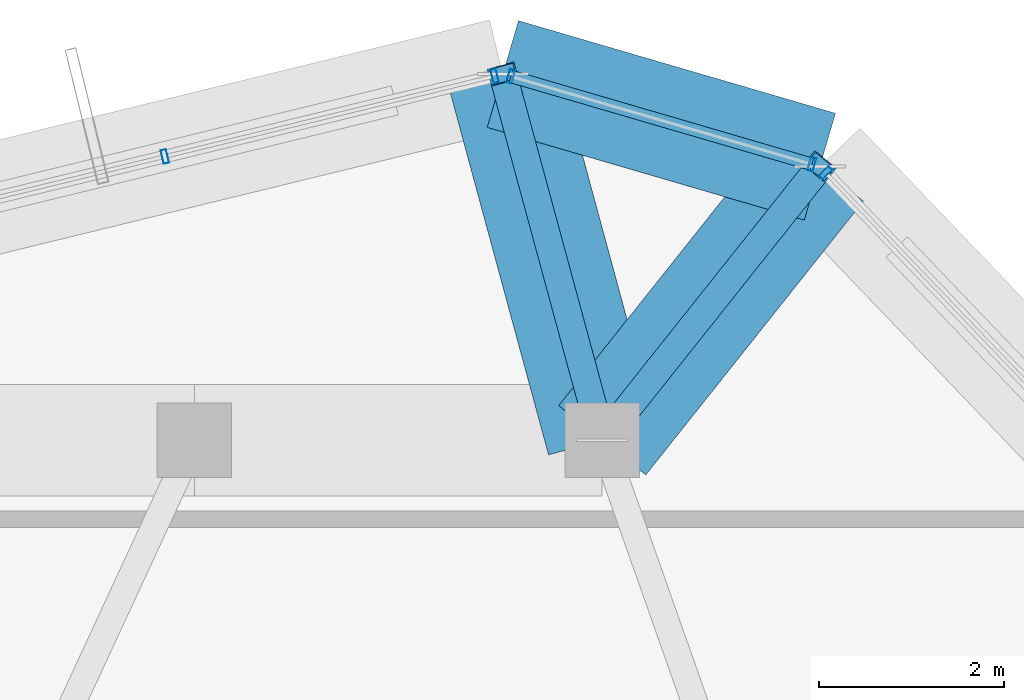
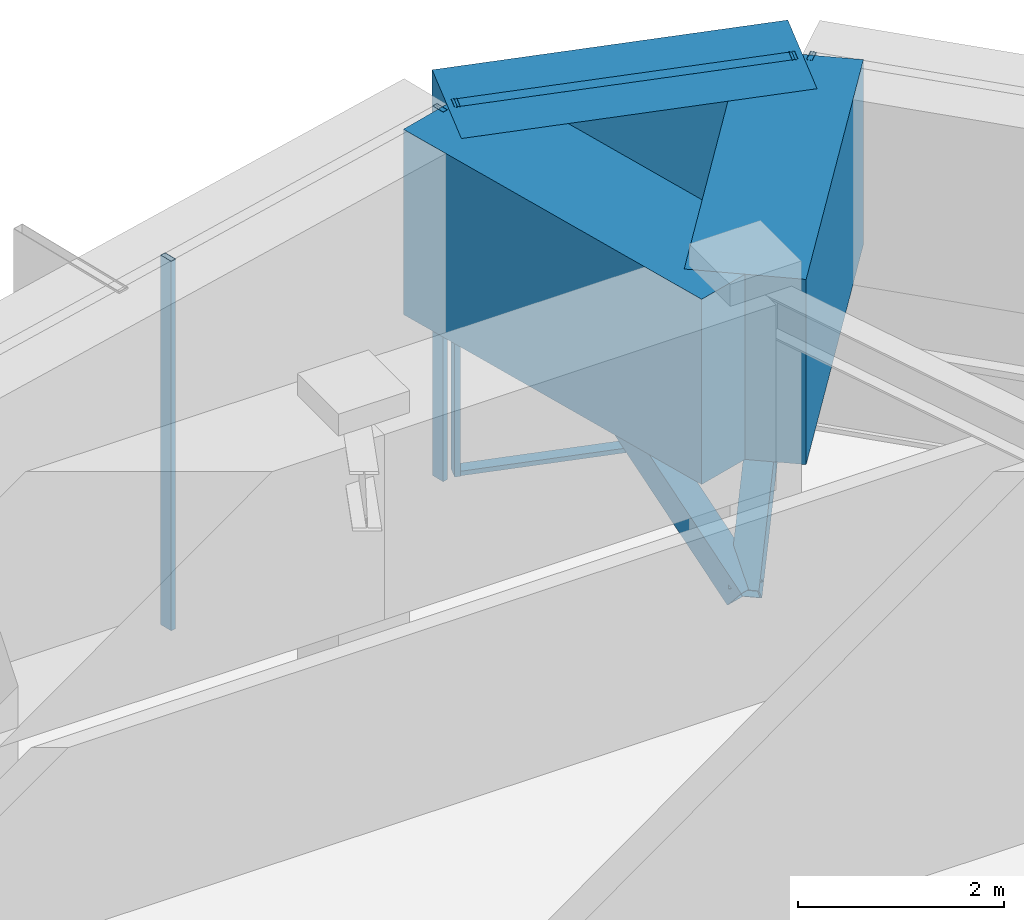
# One storey, part 33 of 39: 9 members, 3 beams, 3 elements without a shape of their own.
"""IFC4 building model written with IfcOpenShell, lengths in metres."""

from ifc_helpers import new_model, si_unit, direction, frame, origin, origin_2d, place, context, subcontext, project, spatial, rectangle, hollow_rectangle, extrude, source, transform, mapped, material, layer, layer_set, material_profile, profile_set, type_object, element, aggregate, save


model = new_model("IFC4")

# Units and contexts
model_context = context("Model", 3, precision=1e-05, world=origin(), true_north=direction((0.0, 1.0)))
body_context = subcontext(model_context, "Body", "Model", "MODEL_VIEW")
ifc_project = project(units=[si_unit("LENGTHUNIT", "METRE"), si_unit("AREAUNIT", "SQUARE_METRE"), si_unit("VOLUMEUNIT", "CUBIC_METRE"), si_unit("PLANEANGLEUNIT", "RADIAN"), si_unit("MASSUNIT", "GRAM", prefix="KILO")], contexts=[model_context])

# Site, building, storey
site_placement = place(None, origin())
site = spatial("IfcSite", under=ifc_project, at=site_placement, CompositionType="ELEMENT")
building_placement = place(site_placement, origin())
building = spatial("IfcBuilding", under=site, at=building_placement, Name="Veraguas Prism Commons", CompositionType="ELEMENT")
storey_placement = place(building_placement, frame((0.0, 0.0, 264.25)))
storey = spatial("IfcBuildingStorey", under=building, at=storey_placement, Name="L75", CompositionType="ELEMENT", Elevation=264.25)

# Beams
ifc_material_1 = material(Name="Concrete C50/60", Category="concrete")
ifc_material_profile_1 = material_profile(ifc_material_1, rectangle(XDim=1.199951171875, YDim=2.199951171875, at=origin_2d()), Name="RC1200X2200")
ifc_profile_set_1 = profile_set([ifc_material_profile_1], Name="Concrete C50/60")
beam_type = type_object("IfcBeamType", Name="Podium Transfer Girder RC 1200x2200", PredefinedType="BEAM", material=ifc_profile_set_1)
beam_1_placement = place(storey_placement, frame((28.39990234375, 37.800048828125, 3.2900390625), z_axis=(0.622521763744, 0.782602487643, 0.0), x_axis=(-0.782602487643, 0.622521763744, 0.0)))
element("IfcBeam", 1, at=beam_1_placement, inside=storey, type_object=beam_type, Name="Crown Rib Support Girder L75-03", PredefinedType="BEAM", context=body_context, shape_type="SweptSolid", body=[
    extrude(rectangle(XDim=1.199951171875, YDim=2.199951171875, at=origin_2d()), origin(), (0.0, 0.0, 1.0), 3.771484375),
])
beam_2_placement = place(storey_placement, frame((30.747802734375, 40.751708984375, 3.2900390625), z_axis=(-0.959914757728, 0.280292093889, 0.0), x_axis=(-0.280292093889, -0.959914757728, 0.0)))
element("IfcBeam", 2, at=beam_2_placement, inside=storey, type_object=beam_type, Name="Crown Base Ring Beam L75-03", PredefinedType="BEAM", context=body_context, shape_type="SweptSolid", body=[
    extrude(rectangle(XDim=1.199951171875, YDim=2.199951171875, at=origin_2d()), origin(), (0.0, 0.0, 1.0), 3.5625),
])
beam_3_placement = place(storey_placement, frame((28.39990234375, 37.800048828125, 3.2900390625), z_axis=(-0.261855392899, 0.96510712007, 0.0), x_axis=(-0.96510712007, -0.261855392899, 0.0)))
element("IfcBeam", 3, at=beam_3_placement, inside=storey, type_object=beam_type, Name="Crown Rib Support Girder L75-04", PredefinedType="BEAM", context=body_context, shape_type="SweptSolid", body=[
    extrude(rectangle(XDim=1.199951171875, YDim=2.199951171875, at=origin_2d()), origin(), (0.0, 0.0, 1.0), 4.093017578125),
])

# Members
ifc_material_2 = material(Name="Steel ASTM A500 Grade C", Category="steel")
ifc_material_profile_2 = material_profile(ifc_material_2, hollow_rectangle(XDim=0.300048828125, YDim=0.300048828125, WallThickness=0.01611328125, at=origin_2d()), Name="HSS300X300X16")
ifc_profile_set_2 = profile_set([ifc_material_profile_2], Name="Steel ASTM A500 Grade C")
member_type_1 = type_object("IfcMemberType", Name="Sky Pool Bracket Strut HSS 300x300x16", PredefinedType="STRUT", material=ifc_profile_set_2)
member_1_placement = place(storey_placement, frame((28.39990234375, 37.800048828125, 0.60009765625), z_axis=(0.466056126189, 0.585901899306, 0.662955995245), x_axis=(-0.782602487643, 0.622521763744, 0.0)))
element("IfcMember", 4, at=member_1_placement, inside=storey, type_object=member_type_1, Name="Crown Base Raker Strut L75-03", PredefinedType="STRUT", context=body_context, shape_type="SweptSolid", body=[
    extrude(hollow_rectangle(XDim=0.300048828125, YDim=0.300048828125, WallThickness=0.01611328125, at=origin_2d()), origin(), (0.0, 0.0, 1.0), 5.037841796875),
])
member_2_placement = place(storey_placement, frame((28.39990234375, 37.800048828125, 0.60009765625), z_axis=(-0.202882980065, 0.747755493726, 0.632218489133), x_axis=(-0.96510712007, -0.261855392899, 0.0)))
element("IfcMember", 5, at=member_2_placement, inside=storey, type_object=member_type_1, Name="Crown Base Raker Strut L75-04", PredefinedType="STRUT", context=body_context, shape_type="SweptSolid", body=[
    extrude(hollow_rectangle(XDim=0.300048828125, YDim=0.300048828125, WallThickness=0.01611328125, at=origin_2d()), origin(), (0.0, 0.0, 1.0), 5.28271484375),
])

# Curtain wall, members
ifc_material_3 = material(Name="Anodised aluminium EN AW-6063 T6", Category="aluminium")
ifc_layer = layer(ifc_material_3, 0.14990234375, Name="Unitised Flush Curtain Wall Zone 4", Category="aluminium")
ifc_layer_set = layer_set([ifc_layer], Name="Anodised aluminium EN AW-6063 T6")
curtain_wall_type = type_object("IfcCurtainWallType", Name="Unitised Flush Curtain Wall Zone 4", PredefinedType="NOTDEFINED", material=ifc_layer_set)
curtain_wall_1_placement = place(storey_placement, origin())
curtain_wall_1 = element("IfcCurtainWall", 6, at=curtain_wall_1_placement, inside=storey, type_object=curtain_wall_type, Name="Chamfer Curtain Wall L75-C2", PredefinedType="NOTDEFINED")
ifc_material_profile_3 = material_profile(ifc_material_3, hollow_rectangle(XDim=0.054931640625, YDim=0.135009765625, WallThickness=0.0029296875, at=origin_2d()), Name="AL55X135X3")
ifc_profile_set_3 = profile_set([ifc_material_profile_3], Name="Anodised aluminium EN AW-6063 T6")
member_type_2 = type_object("IfcMemberType", Name="Curtain Wall Transom Standard AL 55x135x3", PredefinedType="USERDEFINED", material=ifc_profile_set_3)
shared_shape_1 = source(origin(), body_context, "Body", "SweptSolid", [
    extrude(hollow_rectangle(XDim=0.054931640625, YDim=0.135009765625, WallThickness=0.0029296875, at=origin_2d()), origin(), (0.0, 0.0, 1.0), 3.382568359375),
])
member_3_placement = place(storey_placement, frame((30.661376953125, 40.77685546875, 0.027587890625), z_axis=(-0.959900506508, 0.280340895351, 0.0), x_axis=(0.0, 0.0, 1.0)))
member_3 = element("IfcMember", 7, at=member_3_placement, type_object=member_type_2, Name="CW-Z4 Transom 1", ObjectType="TRANSOM", PredefinedType="USERDEFINED", context=body_context, shape_type="MappedRepresentation", body=[
    mapped(shared_shape_1, transform((0.0, 0.0, 0.0), scale=1.0)),
])
member_4_placement = place(storey_placement, frame((30.661376953125, 40.77685546875, 4.362548828125), z_axis=(-0.959900506508, 0.280340895351, 0.0), x_axis=(0.0, 0.0, 1.0)))
member_4 = element("IfcMember", 8, at=member_4_placement, type_object=member_type_2, Name="CW-Z4 Transom 2", ObjectType="TRANSOM", PredefinedType="USERDEFINED", context=body_context, shape_type="MappedRepresentation", body=[
    mapped(shared_shape_1, transform((0.0, 0.0, 0.0), scale=1.0)),
])

# Curtain wall, member
curtain_wall_2_placement = place(storey_placement, origin())
curtain_wall_2 = element("IfcCurtainWall", 9, at=curtain_wall_2_placement, inside=storey, type_object=curtain_wall_type, Name="Tower Facade Curtain Wall L75-F1", PredefinedType="NOTDEFINED")
ifc_material_profile_4 = material_profile(ifc_material_3, hollow_rectangle(XDim=0.06005859375, YDim=0.14990234375, WallThickness=0.0029296875, at=origin_2d()), Name="AL60X150X3")
ifc_profile_set_4 = profile_set([ifc_material_profile_4], Name="Anodised aluminium EN AW-6063 T6")
member_type_3 = type_object("IfcMemberType", Name="Curtain Wall Mullion Upper AL 60x150x3", PredefinedType="MULLION", material=ifc_profile_set_4)
shared_shape_2 = source(origin(), body_context, "Body", "SweptSolid", [
    extrude(hollow_rectangle(XDim=0.06005859375, YDim=0.14990234375, WallThickness=0.0029296875, at=origin_2d()), origin(), (0.0, 0.0, 1.0), 4.389892578125),
])
member_5_placement = place(storey_placement, frame((30.81005859375, 40.6865234375, 0.0), z_axis=(0.0, 0.0, 1.0), x_axis=(-0.691134732122, 0.722725938412, 0.0)))
member_5 = element("IfcMember", 10, at=member_5_placement, type_object=member_type_3, Name="CW-Z4 Mullion 5", PredefinedType="MULLION", context=body_context, shape_type="MappedRepresentation", body=[
    mapped(shared_shape_2, transform((0.0, 0.0, 0.0), scale=1.0)),
])
aggregate(curtain_wall_2, [member_5])

# Curtain wall, members
curtain_wall_3_placement = place(storey_placement, origin())
curtain_wall_3 = element("IfcCurtainWall", 11, at=curtain_wall_3_placement, inside=storey, type_object=curtain_wall_type, Name="Tower Facade Curtain Wall L75-F2", PredefinedType="NOTDEFINED")
member_6_placement = place(storey_placement, frame((27.24072265625, 41.72900390625, 0.0), z_axis=(0.0, 0.0, 1.0), x_axis=(-0.97146556079, -0.237180657305, 0.0)))
member_6 = element("IfcMember", 12, at=member_6_placement, type_object=member_type_3, Name="CW-Z4 Mullion 1", PredefinedType="MULLION", context=body_context, shape_type="MappedRepresentation", body=[
    mapped(shared_shape_2, transform((0.0, 0.0, 0.0), scale=1.0)),
])
member_7_placement = place(storey_placement, frame((23.68359375, 40.860595703125, 0.0), z_axis=(0.0, 0.0, 1.0), x_axis=(-0.97146556079, -0.237180657305, 0.0)))
member_7 = element("IfcMember", 13, at=member_7_placement, type_object=member_type_3, Name="CW-Z4 Mullion 2", PredefinedType="MULLION", context=body_context, shape_type="MappedRepresentation", body=[
    mapped(shared_shape_2, transform((0.0, 0.0, 0.0), scale=1.0)),
])
aggregate(curtain_wall_3, [member_6, member_7])

# Member
member_8_placement = place(storey_placement, frame((30.661376953125, 40.77685546875, 0.0), z_axis=(0.0, 0.0, 1.0), x_axis=(-0.959905161723, 0.280324955183, 0.0)))
member_8 = element("IfcMember", 14, at=member_8_placement, type_object=member_type_3, Name="CW-Z4 Mullion 1", PredefinedType="MULLION", context=body_context, shape_type="MappedRepresentation", body=[
    mapped(shared_shape_2, transform((0.0, 0.0, 0.0), scale=1.0)),
])

member_9_placement = place(storey_placement, frame((27.41455078125, 41.72509765625, 0.0), z_axis=(0.0, 0.0, 1.0), x_axis=(-0.959905161723, 0.280324955183, 0.0)))
member_9 = element("IfcMember", 15, at=member_9_placement, type_object=member_type_3, Name="CW-Z4 Mullion 2", PredefinedType="MULLION", context=body_context, shape_type="MappedRepresentation", body=[
    mapped(shared_shape_2, transform((0.0, 0.0, 0.0), scale=1.0)),
])

aggregate(curtain_wall_1, [member_8, member_9, member_3, member_4])

save(model, "model.ifc")
